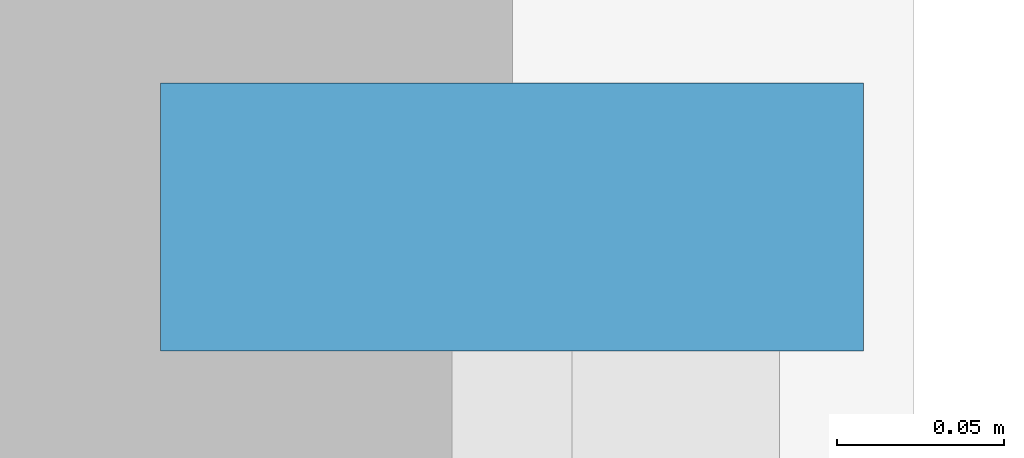
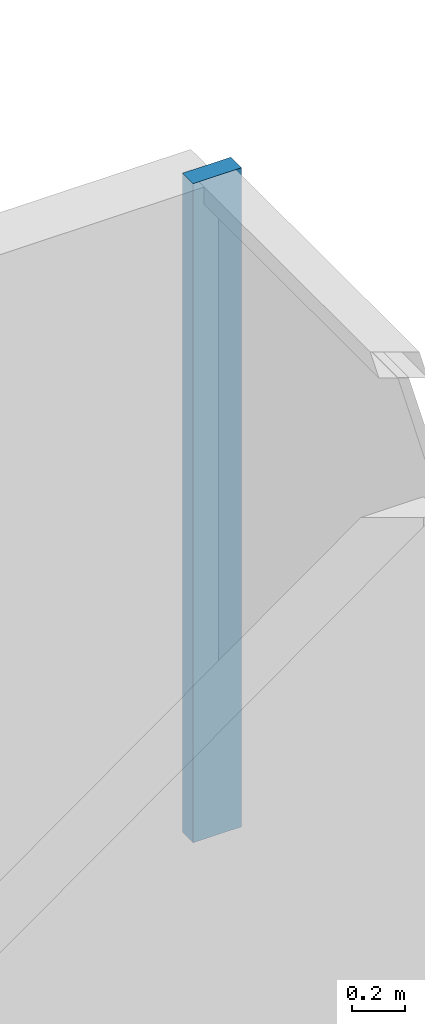
# One storey, part 5 of 12: 1 member, 1 element without a shape of its own.
"""IFC4 building model written with IfcOpenShell, lengths in metres."""

import ifcopenshell
import ifcopenshell.guid

model = None  # the IFC model being written
_history = None  # IfcOwnerHistory: only IFC2X3 demands one
_inside = {}  # id of a spatial element -> (the spatial element, [elements in it])
_under = {}  # id of a project, library or spatial element -> (it, [spatial elements below it])
_declared = {}  # id of a project -> (the project, [libraries it declares])
_typed = {}  # id of a type object -> (the type object, [elements of that type])
_made_of = {}  # id of a material, layer set ... -> (it, [elements and type objects made of it])


def new_model(schema):
    """Start an empty IFC model of exactly this schema.

    Asked for "IFC4X3", IfcOpenShell would pick the latest addendum, in which some entities
    have other attributes; the version numbers below select the first issue.
    IFC2X3 requires an IfcOwnerHistory on every rooted entity: one is made here for all.
    """
    global model, _history
    if schema == "IFC4X3":
        model = ifcopenshell.file(schema_version=(4, 3, 0, 0))
    else:
        model = ifcopenshell.file(schema=schema)
    _inside.clear()
    _under.clear()
    _declared.clear()
    _typed.clear()
    _made_of.clear()
    _history = None
    if model.schema == "IFC2X3":
        org = make("IfcOrganization", Name="unknown")
        user = make(
            "IfcPersonAndOrganization",
            ThePerson=make("IfcPerson", FamilyName="unknown"),
            TheOrganization=org,
        )
        app = make(
            "IfcApplication",
            ApplicationDeveloper=org,
            Version="unknown",
            ApplicationFullName="unknown",
            ApplicationIdentifier="unknown",
        )
        _history = make(
            "IfcOwnerHistory",
            OwningUser=user,
            OwningApplication=app,
            ChangeAction="ADDED",
            CreationDate=0,
        )
    return model


def make(cls, **values):
    """One entity of the class cls with the attributes given. An attribute that is None is left unset."""
    return model.create_entity(
        cls, **{name: value for name, value in values.items() if value is not None}
    )


def rooted(cls, **values):
    """An entity with a GlobalId (a new one), such as an element, a storey or a relation."""
    return make(cls, GlobalId=ifcopenshell.guid.new(), OwnerHistory=_history, **values)


def si_unit(unit_type, name, prefix=None):
    """IfcSIUnit, for example si_unit("LENGTHUNIT", "METRE", prefix="MILLI")."""
    return make("IfcSIUnit", UnitType=unit_type, Prefix=prefix, Name=name)


def assignment(units):
    """IfcUnitAssignment: the units of a project."""
    return None if units is None else make("IfcUnitAssignment", Units=units)


def point(xyz):
    """IfcCartesianPoint."""
    return None if xyz is None else make("IfcCartesianPoint", Coordinates=xyz)


def direction(xyz):
    """IfcDirection."""
    return None if xyz is None else make("IfcDirection", DirectionRatios=xyz)


def frame(location, z_axis=None, x_axis=None):
    """IfcAxis2Placement3D, a coordinate frame: its origin and axes. An axis left out is left unset."""
    return make(
        "IfcAxis2Placement3D",
        Location=point(location),
        Axis=direction(z_axis),
        RefDirection=direction(x_axis),
    )


def frame_2d(location, x_axis=None):
    """IfcAxis2Placement2D, a coordinate frame in the plane: its origin and x axis."""
    return make(
        "IfcAxis2Placement2D", Location=point(location), RefDirection=direction(x_axis)
    )


def origin():
    """The frame at (0, 0, 0) with its axes left unset."""
    return frame((0.0, 0.0, 0.0))


def origin_2d():
    """The frame at (0, 0) in the plane with its x axis left unset."""
    return frame_2d((0.0, 0.0))


def place(relative_to, where):
    """IfcLocalPlacement: puts the frame where relative to a parent placement (None: the world)."""
    return make(
        "IfcLocalPlacement", PlacementRelTo=relative_to, RelativePlacement=where
    )


def context(
    kind, dimensions, precision=None, world=None, true_north=None, identifier=None
):
    """IfcGeometricRepresentationContext, for example the 3D "Model" context."""
    return make(
        "IfcGeometricRepresentationContext",
        ContextIdentifier=identifier,
        ContextType=kind,
        CoordinateSpaceDimension=dimensions,
        Precision=precision,
        WorldCoordinateSystem=world,
        TrueNorth=true_north,
    )


def subcontext(parent, identifier, kind, view, scale=None):
    """IfcGeometricRepresentationSubContext, for example "Body" below "Model"."""
    return make(
        "IfcGeometricRepresentationSubContext",
        ContextIdentifier=identifier,
        ContextType=kind,
        ParentContext=parent,
        TargetScale=scale,
        TargetView=view,
    )


def project(units=None, contexts=None):
    """IfcProject with its units and contexts."""
    return rooted(
        "IfcProject",
        Name="project",
        RepresentationContexts=contexts,
        UnitsInContext=assignment(units),
    )


def spatial(cls, under=None, at=None, **own):
    """A site, building, storey or space (cls), placed at a placement, below another one or the project."""
    s = rooted(cls, ObjectPlacement=at, **own)
    if under is not None:
        _under.setdefault(under.id(), (under, []))[1].append(s)
    return s


def profile(cls, at=None, kind="AREA", **sizes):
    """A parametric profile (cls). Its sizes go by their IFC names, for example OverallWidth=200.0."""
    return make(cls, ProfileType=kind, Position=at, **sizes)


def rectangle(**sizes):
    """IfcRectangleProfileDef."""
    return profile("IfcRectangleProfileDef", **sizes)


def extrude(swept, where, along, depth):
    """IfcExtrudedAreaSolid: the profile swept, set in the frame where, extruded along a direction by depth."""
    return make(
        "IfcExtrudedAreaSolid",
        SweptArea=swept,
        Position=where,
        ExtrudedDirection=direction(along),
        Depth=depth,
    )


def shape(context_of_items, identifier, shape_type, items):
    """IfcShapeRepresentation: the items that make up one representation, for example the "Body"."""
    return make(
        "IfcShapeRepresentation",
        ContextOfItems=context_of_items,
        RepresentationIdentifier=identifier,
        RepresentationType=shape_type,
        Items=items,
    )


def source(mapping_origin, context_of_items, identifier, shape_type, items):
    """IfcRepresentationMap: a shape defined once, which mapped items show again and again."""
    return make(
        "IfcRepresentationMap",
        MappingOrigin=mapping_origin,
        MappedRepresentation=shape(context_of_items, identifier, shape_type, items),
    )


def transform(
    local_origin,
    x_axis=None,
    y_axis=None,
    z_axis=None,
    scale=None,
    scale2=None,
    scale3=None,
    uniform=True,
):
    """IfcCartesianTransformationOperator3D, or its non-uniform kind. x_axis, y_axis, z_axis: its Axis1, 2, 3."""
    if uniform:
        return make(
            "IfcCartesianTransformationOperator3D",
            Axis1=direction(x_axis),
            Axis2=direction(y_axis),
            LocalOrigin=point(local_origin),
            Scale=scale,
            Axis3=direction(z_axis),
        )
    return make(
        "IfcCartesianTransformationOperator3DnonUniform",
        Axis1=direction(x_axis),
        Axis2=direction(y_axis),
        LocalOrigin=point(local_origin),
        Scale=scale,
        Axis3=direction(z_axis),
        Scale2=scale2,
        Scale3=scale3,
    )


def mapped(mapping_source, mapping_target):
    """IfcMappedItem: shows the shape of a source again, moved by a transform."""
    return make(
        "IfcMappedItem", MappingSource=mapping_source, MappingTarget=mapping_target
    )


def material(Name=None, Category=None):
    """IfcMaterial."""
    return make("IfcMaterial", Name=Name, Category=Category)


def layer(
    of_material, thickness, ventilated=None, Name=None, Category=None, Priority=None
):
    """IfcMaterialLayer: one layer of a wall or slab, of a material (None: an air gap)."""
    return make(
        "IfcMaterialLayer",
        Material=of_material,
        LayerThickness=thickness,
        IsVentilated=ventilated,
        Name=Name,
        Category=Category,
        Priority=Priority,
    )


def layer_set(layers, Name=None):
    """IfcMaterialLayerSet."""
    return make("IfcMaterialLayerSet", MaterialLayers=layers, LayerSetName=Name)


def material_profile(
    of_material, cross_section, Name=None, Category=None, Priority=None
):
    """IfcMaterialProfile: a cross section and its material."""
    return make(
        "IfcMaterialProfile",
        Name=Name,
        Material=of_material,
        Profile=cross_section,
        Priority=Priority,
        Category=Category,
    )


def profile_set(profiles, Name=None, composite=None):
    """IfcMaterialProfileSet."""
    return make(
        "IfcMaterialProfileSet",
        Name=Name,
        MaterialProfiles=profiles,
        CompositeProfile=composite,
    )


def made_of(thing, what):
    """Note that an element or type object is made of a material, layer set ...; save() writes the relation."""
    if what is not None:
        _made_of.setdefault(what.id(), (what, []))[1].append(thing)
    return thing


def type_object(cls, material=None, **own):
    """A type object (cls), such as IfcWallType, which elements share."""
    return made_of(rooted(cls, **own), material)


def element(
    cls,
    number,
    at=None,
    inside=None,
    cuts=None,
    type_object=None,
    material=None,
    context=None,
    identifier="Body",
    shape_type=None,
    held_by="IfcProductDefinitionShape",
    body=None,
    shapes=None,
    **own,
):
    """One element of the class cls, such as IfcWall. Its Tag is "e" and its number.

    at: its placement. inside: the storey or other place that contains it. cuts: it is an
    opening in that element (IfcRelVoidsElement). A single representation is given by context,
    identifier, shape_type and body (its items); several are given by shapes. held_by: the class
    of the entity that holds the representations. save() writes the other relations.
    """
    e = rooted(cls, Tag="e%d" % number, ObjectPlacement=at, **own)
    if body is not None:
        shapes = [shape(context, identifier, shape_type, body)]
    if shapes is not None:
        e.Representation = make(held_by, Representations=shapes)
    if inside is not None:
        _inside.setdefault(inside.id(), (inside, []))[1].append(e)
    if cuts is not None:
        rooted(
            "IfcRelVoidsElement", RelatingBuildingElement=cuts, RelatedOpeningElement=e
        )
    if type_object is not None:
        _typed.setdefault(type_object.id(), (type_object, []))[1].append(e)
    return made_of(e, material)


def aggregate(whole, parts):
    """IfcRelAggregates: a whole, such as a stair, and the parts it consists of."""
    return rooted("IfcRelAggregates", RelatingObject=whole, RelatedObjects=parts)


def save(model, path):
    """Write the relations noted so far, then the file.

    IfcRelAggregates (storeys below a building ...), IfcRelContainedInSpatialStructure (elements
    in a storey), IfcRelDefinesByType, IfcRelAssociatesMaterial and IfcRelDeclares: one each for
    every whole, place, type object, material and project.
    """
    for whole, parts in _under.values():
        aggregate(whole, parts)
    for where, things in _inside.values():
        rooted(
            "IfcRelContainedInSpatialStructure",
            RelatedElements=things,
            RelatingStructure=where,
        )
    for kind, things in _typed.values():
        rooted("IfcRelDefinesByType", RelatedObjects=things, RelatingType=kind)
    for what, things in _made_of.values():
        rooted("IfcRelAssociatesMaterial", RelatedObjects=things, RelatingMaterial=what)
    for by, libraries in _declared.values():
        rooted("IfcRelDeclares", RelatingContext=by, RelatedDefinitions=libraries)
    model.write(path)


model = new_model("IFC4")

# Units and contexts
model_context = context("Model", 3, precision=1e-05, world=origin(), true_north=direction((0.0, 1.0)))
body_context = subcontext(model_context, "Body", "Model", "MODEL_VIEW")
ifc_project = project(units=[si_unit("LENGTHUNIT", "METRE"), si_unit("AREAUNIT", "SQUARE_METRE"), si_unit("VOLUMEUNIT", "CUBIC_METRE"), si_unit("PLANEANGLEUNIT", "RADIAN"), si_unit("MASSUNIT", "GRAM", prefix="KILO")], contexts=[model_context])

# Site, building, storey
site_placement = place(None, origin())
site = spatial("IfcSite", under=ifc_project, at=site_placement, CompositionType="ELEMENT")
building_placement = place(site_placement, origin())
building = spatial("IfcBuilding", under=site, at=building_placement, Name="Qianlan Lanfeng Residences", CompositionType="ELEMENT")
storey_placement = place(building_placement, frame((0.0, 0.0, 67.10009765625)))
storey = spatial("IfcBuildingStorey", under=building, at=storey_placement, Name="L18", CompositionType="ELEMENT", Elevation=67.10009765625)

# Curtain wall, member
ifc_material = material(Name="Anodised Bronze Aluminium 6063-T6", Category="aluminium")
ifc_layer = layer(ifc_material, 0.219970703125)
ifc_layer_set = layer_set([ifc_layer], Name="Anodised Bronze Aluminium 6063-T6")
curtain_wall_type = type_object("IfcCurtainWallType", Name="CW-02", PredefinedType="NOTDEFINED", material=ifc_layer_set)
curtain_wall_placement = place(storey_placement, origin())
curtain_wall = element("IfcCurtainWall", 1, at=curtain_wall_placement, inside=storey, type_object=curtain_wall_type, Name="L18 Unitised Curtain Wall CWR-L18-05 (CW-02)", PredefinedType="NOTDEFINED")
ifc_material_profile = material_profile(ifc_material, rectangle(XDim=0.080078125, YDim=0.2099609375, at=origin_2d()), Name="ALU MULLION 80x210")
ifc_profile_set = profile_set([ifc_material_profile], Name="Anodised Bronze Aluminium 6063-T6")
member_type = type_object("IfcMemberType", Name="CWM-220", PredefinedType="MULLION", material=ifc_profile_set)
shared_shape = source(origin(), body_context, "Body", "SweptSolid", [
    extrude(rectangle(XDim=0.080078125, YDim=0.2099609375, at=origin_2d()), origin(), (0.0, 0.0, 1.0), 3.02978515625),
])
member_placement = place(storey_placement, frame((52.8798828125, 34.889892578125, 0.0), z_axis=(0.0, 0.0, 1.0), x_axis=(0.0, 1.0, 0.0)))
member = element("IfcMember", 2, at=member_placement, type_object=member_type, Name="CWR-L18-05 Mullion 3", PredefinedType="MULLION", context=body_context, shape_type="MappedRepresentation", body=[
    mapped(shared_shape, transform((0.0, 0.0, 0.0), scale=1.0)),
])
aggregate(curtain_wall, [member])

save(model, "model.ifc")
